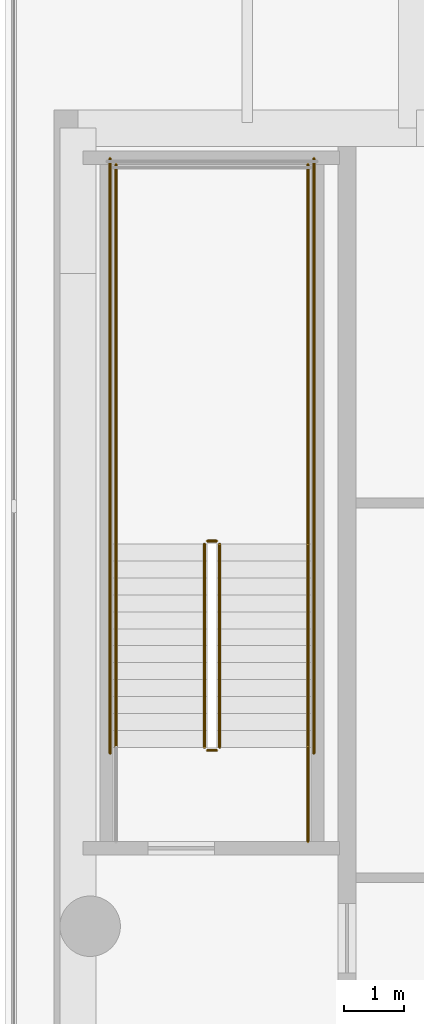
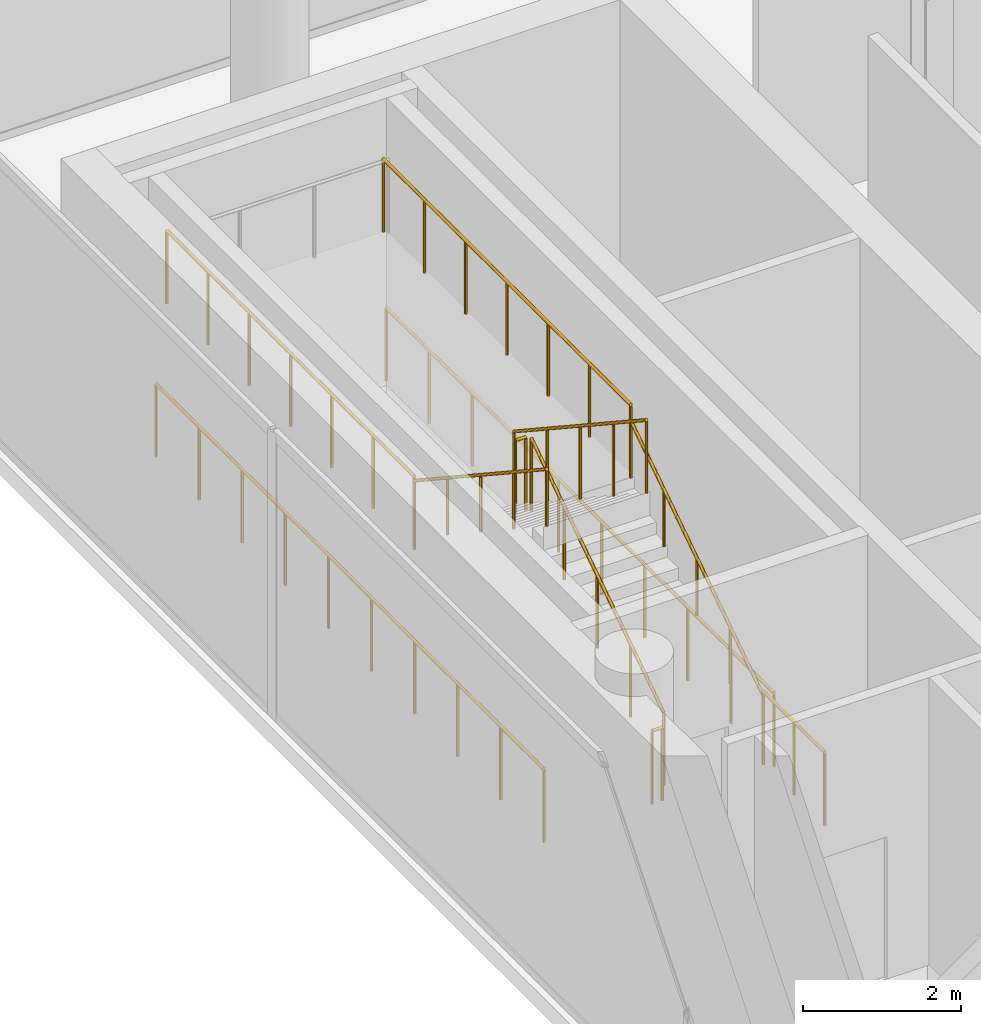
# One storey, part 12 of 14: 11 railings.
"""IFC4 building model written with IfcOpenShell, lengths in metres."""

from ifc_helpers import new_model, si_unit, direction, frame, origin, origin_2d, place, context, subcontext, project, spatial, circle, extrude, material, type_object, element, save


model = new_model("IFC4")

# Units and contexts
model_context = context("Model", 3, precision=1e-05, world=origin(), true_north=direction((0.0, 1.0)))
body_context = subcontext(model_context, "Body", "Model", "MODEL_VIEW")
ifc_project = project(units=[si_unit("LENGTHUNIT", "METRE"), si_unit("AREAUNIT", "SQUARE_METRE"), si_unit("VOLUMEUNIT", "CUBIC_METRE"), si_unit("PLANEANGLEUNIT", "RADIAN"), si_unit("MASSUNIT", "GRAM", prefix="KILO")], contexts=[model_context])

# Site, building, storey
site_placement = place(None, origin())
site = spatial("IfcSite", under=ifc_project, at=site_placement, CompositionType="ELEMENT")
building_placement = place(site_placement, origin())
building = spatial("IfcBuilding", under=site, at=building_placement, Name="Khairoan Windgate Tower", CompositionType="ELEMENT")
storey_placement = place(building_placement, frame((0.0, 0.0, 320.39990234375)))
storey = spatial("IfcBuildingStorey", under=building, at=storey_placement, Name="L77", CompositionType="ELEMENT", Elevation=320.39990234375)

# Railings
ifc_material_1 = material(Name="Anodised Bronze Aluminium 6063-T6", Category="aluminium")
railing_type_1 = type_object("IfcRailingType", Name="Stair Wall Handrail SHR-900", PredefinedType="HANDRAIL", material=ifc_material_1)
railing_1_placement = place(storey_placement, frame((-16.199951171875, 2.9599609375, 0.184814453125)))
element("IfcRailing", 1, at=railing_1_placement, inside=storey, type_object=railing_type_1, Name="L77 ST2 stair handrail 1", PredefinedType="HANDRAIL", context=body_context, shape_type="SweptSolid", body=[
    extrude(circle(Radius=0.02392578125, at=origin_2d()), frame((0.0, 0.0, 0.8759765625), z_axis=(0.0, 0.834876476806, 0.550437342915), x_axis=(-1.0, 0.0, 0.0)), (0.0, 0.0, 1.0), 4.024658203125),
    extrude(circle(Radius=0.02099609375, at=origin_2d()), origin(), (0.0, 0.0, 1.0), 0.851806640625),
    extrude(circle(Radius=0.02099609375, at=origin_2d()), frame((0.0, 0.840087890625, 0.5537109375)), (0.0, 0.0, 1.0), 0.851806640625),
    extrude(circle(Radius=0.02099609375, at=origin_2d()), frame((0.0, 1.68017578125, 1.107666015625)), (0.0, 0.0, 1.0), 0.851806640625),
    extrude(circle(Radius=0.02099609375, at=origin_2d()), frame((0.0, 2.52001953125, 1.66162109375)), (0.0, 0.0, 1.0), 0.851806640625),
    extrude(circle(Radius=0.02099609375, at=origin_2d()), frame((0.0, 3.360107421875, 2.21533203125)), (0.0, 0.0, 1.0), 0.851806640625),
])
railing_2_placement = place(storey_placement, frame((-19.3701171875, 6.320068359375, 2.584716796875)))
element("IfcRailing", 2, at=railing_2_placement, inside=storey, type_object=railing_type_1, Name="L77 ST2 stair handrail 2", PredefinedType="HANDRAIL", context=body_context, shape_type="SweptSolid", body=[
    extrude(circle(Radius=0.02392578125, at=origin_2d()), frame((0.0, 0.0, 0.8759765625), z_axis=(0.0, -0.834876476806, 0.550437342915), x_axis=(1.0, 0.0, 0.0)), (0.0, 0.0, 1.0), 4.024658203125),
    extrude(circle(Radius=0.02099609375, at=origin_2d()), origin(), (0.0, 0.0, 1.0), 0.851806640625),
    extrude(circle(Radius=0.02099609375, at=origin_2d()), frame((0.0, -0.840087890625, 0.5537109375)), (0.0, 0.0, 1.0), 0.851806640625),
    extrude(circle(Radius=0.02099609375, at=origin_2d()), frame((0.0, -1.68017578125, 1.107666015625)), (0.0, 0.0, 1.0), 0.851806640625),
    extrude(circle(Radius=0.02099609375, at=origin_2d()), frame((0.0, -2.52001953125, 1.66162109375)), (0.0, 0.0, 1.0), 0.851806640625),
    extrude(circle(Radius=0.02099609375, at=origin_2d()), frame((0.0, -3.360107421875, 2.21533203125)), (0.0, 0.0, 1.0), 0.851806640625),
])
ifc_material_2 = material(Name="Steel S355", Category="steel")
railing_type_2 = type_object("IfcRailingType", Name="Stairwell Safety Guardrail SGR-1150", PredefinedType="GUARDRAIL", material=ifc_material_2)
railing_3_placement = place(storey_placement, frame((-17.659912109375, 2.9599609375, 0.184814453125)))
element("IfcRailing", 3, at=railing_3_placement, inside=storey, type_object=railing_type_2, Name="L77 ST2 stair guard 1", PredefinedType="GUARDRAIL", context=body_context, shape_type="SweptSolid", body=[
    extrude(circle(Radius=0.02392578125, at=origin_2d()), frame((0.0, 0.0, 1.1259765625), z_axis=(0.0, 0.834876476806, 0.550437342915), x_axis=(-1.0, 0.0, 0.0)), (0.0, 0.0, 1.0), 4.024658203125),
    extrude(circle(Radius=0.02099609375, at=origin_2d()), origin(), (0.0, 0.0, 1.0), 1.101806640625),
    extrude(circle(Radius=0.02099609375, at=origin_2d()), frame((0.0, 0.840087890625, 0.5537109375)), (0.0, 0.0, 1.0), 1.101806640625),
    extrude(circle(Radius=0.02099609375, at=origin_2d()), frame((0.0, 1.68017578125, 1.107666015625)), (0.0, 0.0, 1.0), 1.101806640625),
    extrude(circle(Radius=0.02099609375, at=origin_2d()), frame((0.0, 2.52001953125, 1.66162109375)), (0.0, 0.0, 1.0), 1.101806640625),
    extrude(circle(Radius=0.02099609375, at=origin_2d()), frame((0.0, 3.360107421875, 2.21533203125)), (0.0, 0.0, 1.0), 1.101806640625),
])
railing_4_placement = place(storey_placement, frame((-17.7099609375, 6.3701171875, 2.400146484375)))
element("IfcRailing", 4, at=railing_4_placement, inside=storey, type_object=railing_type_2, Name="L77 ST2 stair guard 2", PredefinedType="GUARDRAIL", context=body_context, shape_type="SweptSolid", body=[
    extrude(circle(Radius=0.02392578125, at=origin_2d()), frame((0.0, 0.0, 1.1259765625), z_axis=(-1.0, 0.0, 0.0), x_axis=(0.0, -1.0, 0.0)), (0.0, 0.0, 1.0), 0.150146484375),
    extrude(circle(Radius=0.02099609375, at=origin_2d()), origin(), (0.0, 0.0, 1.0), 1.101806640625),
    extrude(circle(Radius=0.02099609375, at=origin_2d()), frame((-0.150146484375, 0.0, 0.0)), (0.0, 0.0, 1.0), 1.101806640625),
])
for number, where, name in (
    (5, (-16.199951171875, 6.320068359375, 2.400146484375), "L77 ST2 stair guard 3"),
    (6, (-19.3701171875, 6.320068359375, 2.400146484375), "L77 ST2 stair guard 4"),
):
    element("IfcRailing", number, at=place(storey_placement, frame(where)), inside=storey, type_object=railing_type_2, Name=name, PredefinedType="GUARDRAIL", context=body_context, shape_type="SweptSolid", body=[
        extrude(circle(Radius=0.02392578125, at=origin_2d()), frame((0.0, 0.0, 1.1259765625), z_axis=(0.0, 1.0, 0.0), x_axis=(-1.0, 0.0, 0.0)), (0.0, 0.0, 1.0), 6.280029296875),
        extrude(circle(Radius=0.02099609375, at=origin_2d()), origin(), (0.0, 0.0, 1.0), 1.101806640625),
        extrude(circle(Radius=0.02099609375, at=origin_2d()), frame((0.0, 1.046630859375, 0.0)), (0.0, 0.0, 1.0), 1.101806640625),
        extrude(circle(Radius=0.02099609375, at=origin_2d()), frame((0.0, 2.09326171875, 0.0)), (0.0, 0.0, 1.0), 1.101806640625),
        extrude(circle(Radius=0.02099609375, at=origin_2d()), frame((0.0, 3.14013671875, 0.0)), (0.0, 0.0, 1.0), 1.101806640625),
        extrude(circle(Radius=0.02099609375, at=origin_2d()), frame((0.0, 4.186767578125, 0.0)), (0.0, 0.0, 1.0), 1.101806640625),
        extrude(circle(Radius=0.02099609375, at=origin_2d()), frame((0.0, 5.2333984375, 0.0)), (0.0, 0.0, 1.0), 1.101806640625),
        extrude(circle(Radius=0.02099609375, at=origin_2d()), frame((0.0, 6.280029296875, 0.0)), (0.0, 0.0, 1.0), 1.101806640625),
    ])
railing_5_placement = place(storey_placement, frame((-17.909912109375, 6.320068359375, 2.584716796875)))
element("IfcRailing", 7, at=railing_5_placement, inside=storey, type_object=railing_type_2, Name="L77 ST2 stair guard 6", PredefinedType="GUARDRAIL", context=body_context, shape_type="SweptSolid", body=[
    extrude(circle(Radius=0.02392578125, at=origin_2d()), frame((0.0, 0.0, 1.1259765625), z_axis=(0.0, -0.834876476806, 0.550437342915), x_axis=(1.0, 0.0, 0.0)), (0.0, 0.0, 1.0), 4.024658203125),
    extrude(circle(Radius=0.02099609375, at=origin_2d()), origin(), (0.0, 0.0, 1.0), 1.101806640625),
    extrude(circle(Radius=0.02099609375, at=origin_2d()), frame((0.0, -0.840087890625, 0.5537109375)), (0.0, 0.0, 1.0), 1.101806640625),
    extrude(circle(Radius=0.02099609375, at=origin_2d()), frame((0.0, -1.68017578125, 1.107666015625)), (0.0, 0.0, 1.0), 1.101806640625),
    extrude(circle(Radius=0.02099609375, at=origin_2d()), frame((0.0, -2.52001953125, 1.66162109375)), (0.0, 0.0, 1.0), 1.101806640625),
    extrude(circle(Radius=0.02099609375, at=origin_2d()), frame((0.0, -3.360107421875, 2.21533203125)), (0.0, 0.0, 1.0), 1.101806640625),
])
railing_6_placement = place(storey_placement, frame((-17.7099609375, 2.909912109375, 0.0)))
element("IfcRailing", 8, at=railing_6_placement, inside=storey, type_object=railing_type_2, Name="L77 ST2 stair guard 7", PredefinedType="GUARDRAIL", context=body_context, shape_type="SweptSolid", body=[
    extrude(circle(Radius=0.02392578125, at=origin_2d()), frame((0.0, 0.0, 1.1259765625), z_axis=(-1.0, 0.0, 0.0), x_axis=(0.0, -1.0, 0.0)), (0.0, 0.0, 1.0), 0.150146484375),
    extrude(circle(Radius=0.02099609375, at=origin_2d()), origin(), (0.0, 0.0, 1.0), 1.101806640625),
    extrude(circle(Radius=0.02099609375, at=origin_2d()), frame((-0.150146484375, 0.0, 0.0)), (0.0, 0.0, 1.0), 1.101806640625),
])
railing_7_placement = place(storey_placement, frame((-16.199951171875, 1.39990234375, 0.0)))
element("IfcRailing", 9, at=railing_7_placement, inside=storey, type_object=railing_type_2, Name="L77 ST2 stair guard 8", PredefinedType="GUARDRAIL", context=body_context, shape_type="SweptSolid", body=[
    extrude(circle(Radius=0.02392578125, at=origin_2d()), frame((0.0, 0.0, 1.1259765625), z_axis=(0.0, 1.0, 0.0), x_axis=(-1.0, 0.0, 0.0)), (0.0, 0.0, 1.0), 1.56005859375),
    extrude(circle(Radius=0.02099609375, at=origin_2d()), origin(), (0.0, 0.0, 1.0), 1.101806640625),
    extrude(circle(Radius=0.02099609375, at=origin_2d()), frame((0.0, 0.780029296875, 0.0)), (0.0, 0.0, 1.0), 1.101806640625),
    extrude(circle(Radius=0.02099609375, at=origin_2d()), frame((0.0, 1.56005859375, 0.0)), (0.0, 0.0, 1.0), 1.101806640625),
])
for number, where, name in (
    (10, (-16.10009765625, 2.860107421875, 0.0), "L77 ST2 stair guard 10"),
    (11, (-19.469970703125, 2.860107421875, 0.0), "L77 ST2 stair guard 11"),
):
    element("IfcRailing", number, at=place(storey_placement, frame(where)), inside=storey, type_object=railing_type_2, Name=name, PredefinedType="GUARDRAIL", context=body_context, shape_type="SweptSolid", body=[
        extrude(circle(Radius=0.02392578125, at=origin_2d()), frame((0.0, 0.0, 1.1259765625), z_axis=(0.0, 1.0, 0.0), x_axis=(-1.0, 0.0, 0.0)), (0.0, 0.0, 1.0), 9.83984375),
        extrude(circle(Radius=0.02099609375, at=origin_2d()), origin(), (0.0, 0.0, 1.0), 1.101806640625),
        extrude(circle(Radius=0.02099609375, at=origin_2d()), frame((0.0, 1.09326171875, 0.0)), (0.0, 0.0, 1.0), 1.101806640625),
        extrude(circle(Radius=0.02099609375, at=origin_2d()), frame((0.0, 2.1865234375, 0.0)), (0.0, 0.0, 1.0), 1.101806640625),
        extrude(circle(Radius=0.02099609375, at=origin_2d()), frame((0.0, 3.280029296875, 0.0)), (0.0, 0.0, 1.0), 1.101806640625),
        extrude(circle(Radius=0.02099609375, at=origin_2d()), frame((0.0, 4.373291015625, 0.0)), (0.0, 0.0, 1.0), 1.101806640625),
        extrude(circle(Radius=0.02099609375, at=origin_2d()), frame((0.0, 5.466552734375, 0.0)), (0.0, 0.0, 1.0), 1.101806640625),
        extrude(circle(Radius=0.02099609375, at=origin_2d()), frame((0.0, 6.559814453125, 0.0)), (0.0, 0.0, 1.0), 1.101806640625),
        extrude(circle(Radius=0.02099609375, at=origin_2d()), frame((0.0, 7.6533203125, 0.0)), (0.0, 0.0, 1.0), 1.101806640625),
        extrude(circle(Radius=0.02099609375, at=origin_2d()), frame((0.0, 8.74658203125, 0.0)), (0.0, 0.0, 1.0), 1.101806640625),
        extrude(circle(Radius=0.02099609375, at=origin_2d()), frame((0.0, 9.83984375, 0.0)), (0.0, 0.0, 1.0), 1.101806640625),
    ])

save(model, "model.ifc")
